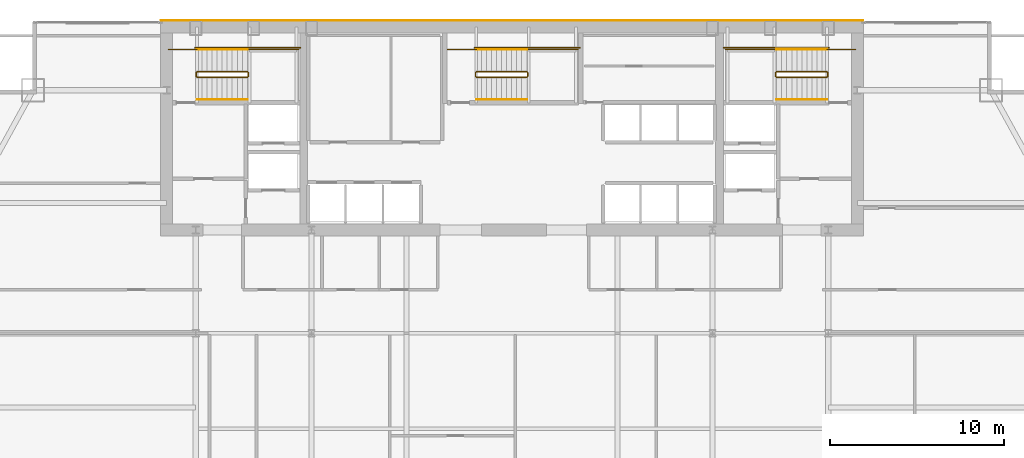
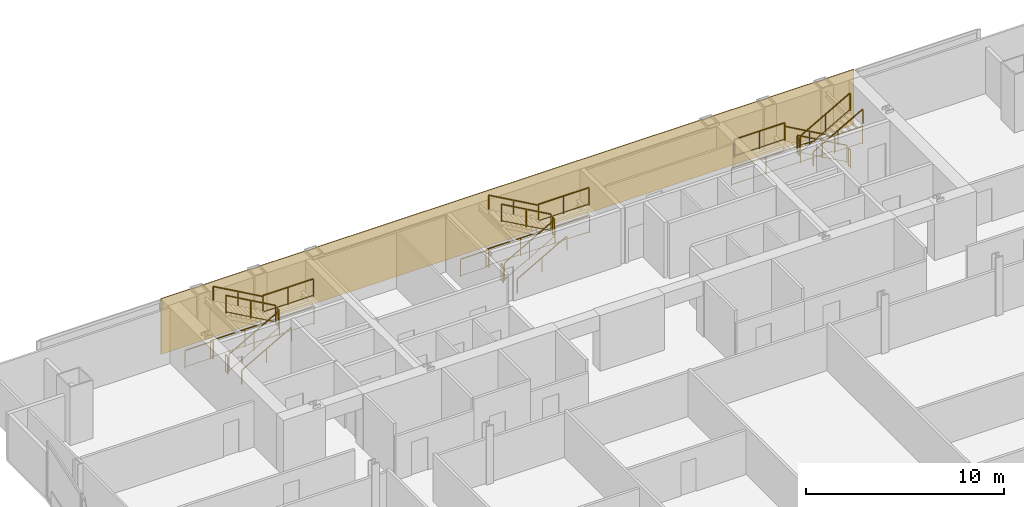
# One storey, part 29 of 29: 27 railings, 1 covering.
"""IFC4 building model written with IfcOpenShell, lengths in metres."""

from ifc_helpers import new_model, si_unit, direction, frame, origin, origin_2d, place, context, subcontext, project, spatial, polyline, rectangle, outline, extrude, material, layer, layer_set, type_object, element, save


model = new_model("IFC4")

# Units and contexts
model_context = context("Model", 3, precision=1e-05, world=origin(), true_north=direction((0.0, 1.0)))
body_context = subcontext(model_context, "Body", "Model", "MODEL_VIEW")
ifc_project = project(units=[si_unit("LENGTHUNIT", "METRE"), si_unit("AREAUNIT", "SQUARE_METRE"), si_unit("VOLUMEUNIT", "CUBIC_METRE"), si_unit("PLANEANGLEUNIT", "RADIAN"), si_unit("MASSUNIT", "GRAM", prefix="KILO")], contexts=[model_context])

# Site, building, storey
site_placement = place(None, origin())
site = spatial("IfcSite", under=ifc_project, at=site_placement, CompositionType="ELEMENT")
building_placement = place(site_placement, origin())
building = spatial("IfcBuilding", under=site, at=building_placement, Name="Khoronbel Lancet Exchange", CompositionType="ELEMENT")
storey_placement = place(building_placement, frame((0.0, 0.0, 150.60009765625)))
storey = spatial("IfcBuildingStorey", under=building, at=storey_placement, Name="L37", CompositionType="ELEMENT", Elevation=150.60009765625)

# Covering
ifc_material_1 = material(Name="Honed Egyptian Limestone & Bronze Rainscreen", Category="masonry")
ifc_layer = layer(ifc_material_1, 0.050048828125, Name="Honed Egyptian Limestone & Bronze Rainscreen")
ifc_layer_set = layer_set([ifc_layer], Name="Honed Egyptian Limestone & Bronze Rainscreen")
covering_type = type_object("IfcCoveringType", Name="COV-CLAD1", PredefinedType="CLADDING", material=ifc_layer_set)
covering_placement = place(storey_placement, origin())
element("IfcCovering", 1, at=covering_placement, inside=storey, type_object=covering_type, Name="Level L37 north rear-core stone and bronze rainscreen cladding", PredefinedType="CLADDING", context=body_context, shape_type="SweptSolid", body=[
    extrude(outline(polyline([(16.199951171875, 53.699951171875), (56.699951171875, 53.699951171875), (56.699951171875, 53.75), (16.199951171875, 53.75), (16.199951171875, 53.699951171875)])), origin(), (0.0, 0.0, 1.0), 3.43994140625),
])

# Railings
ifc_material_2 = material(Name="Painted Steel Balustrade", Category="steel")
railing_type_1 = type_object("IfcRailingType", Name="RL-STG110", PredefinedType="GUARDRAIL", material=ifc_material_2)
railing_1_placement = place(storey_placement, frame((18.300048828125, 50.449951171875, 0.16357421875)))
element("IfcRailing", 2, at=railing_1_placement, inside=storey, type_object=railing_type_1, Name="L37 ST1 stair guard 1", PredefinedType="GUARDRAIL", context=body_context, shape_type="SweptSolid", body=[
    extrude(rectangle(XDim=0.048095703125, YDim=0.048095703125, at=origin_2d()), frame((0.0, 0.0, 1.09619140625), z_axis=(0.870928581787, 0.0, 0.491409610636), x_axis=(0.0, 1.0, 0.0)), (0.0, 0.0, 1.0), 3.32958984375),
    extrude(rectangle(XDim=0.02392578125, YDim=0.02392578125, at=origin_2d()), frame((0.0, 0.0, 0.080078125), z_axis=(0.870928581787, 0.0, 0.491409610636), x_axis=(0.0, 1.0, 0.0)), (0.0, 0.0, 1.0), 3.32958984375),
    extrude(rectangle(XDim=0.0419921875, YDim=0.0419921875, at=origin_2d()), origin(), (0.0, 0.0, 1.0), 1.072021484375),
    extrude(rectangle(XDim=0.0419921875, YDim=0.0419921875, at=origin_2d()), frame((1.449951171875, 0.0, 0.818115234375)), (0.0, 0.0, 1.0), 1.072021484375),
    extrude(rectangle(XDim=0.0419921875, YDim=0.0419921875, at=origin_2d()), frame((2.89990234375, 0.0, 1.63623046875)), (0.0, 0.0, 1.0), 1.072021484375),
])
railing_2_placement = place(storey_placement, frame((21.25, 50.5, 1.7998046875)))
element("IfcRailing", 3, at=railing_2_placement, inside=storey, type_object=railing_type_1, Name="L37 ST1 stair guard 2", PredefinedType="GUARDRAIL", context=body_context, shape_type="SweptSolid", body=[
    extrude(rectangle(XDim=0.048095703125, YDim=0.048095703125, at=origin_2d()), frame((0.0, 0.0, 1.09619140625), z_axis=(0.0, 1.0, 0.0), x_axis=(-1.0, 0.0, 0.0)), (0.0, 0.0, 1.0), 0.219970703125),
    extrude(rectangle(XDim=0.02392578125, YDim=0.02392578125, at=origin_2d()), frame((0.0, 0.0, 0.080078125), z_axis=(0.0, 1.0, 0.0), x_axis=(-1.0, 0.0, 0.0)), (0.0, 0.0, 1.0), 0.219970703125),
    extrude(rectangle(XDim=0.0419921875, YDim=0.0419921875, at=origin_2d()), origin(), (0.0, 0.0, 1.0), 1.072021484375),
    extrude(rectangle(XDim=0.0419921875, YDim=0.0419921875, at=origin_2d()), frame((0.0, 0.219970703125, 0.0)), (0.0, 0.0, 1.0), 1.072021484375),
])
railing_3_placement = place(storey_placement, frame((21.199951171875, 52.050048828125, 1.7998046875)))
element("IfcRailing", 4, at=railing_3_placement, inside=storey, type_object=railing_type_1, Name="L37 ST1 stair guard 3", PredefinedType="GUARDRAIL", context=body_context, shape_type="SweptSolid", body=[
    extrude(rectangle(XDim=0.048095703125, YDim=0.048095703125, at=origin_2d()), frame((0.0, 0.0, 1.09619140625), z_axis=(1.0, 0.0, 0.0), x_axis=(0.0, 1.0, 0.0)), (0.0, 0.0, 1.0), 2.949951171875),
    extrude(rectangle(XDim=0.02392578125, YDim=0.02392578125, at=origin_2d()), frame((0.0, 0.0, 0.080078125), z_axis=(1.0, 0.0, 0.0), x_axis=(0.0, 1.0, 0.0)), (0.0, 0.0, 1.0), 2.949951171875),
    extrude(rectangle(XDim=0.0419921875, YDim=0.0419921875, at=origin_2d()), origin(), (0.0, 0.0, 1.0), 1.072021484375),
    extrude(rectangle(XDim=0.0419921875, YDim=0.0419921875, at=origin_2d()), frame((1.47509765625, 0.0, 0.0)), (0.0, 0.0, 1.0), 1.072021484375),
    extrude(rectangle(XDim=0.0419921875, YDim=0.0419921875, at=origin_2d()), frame((2.949951171875, 0.0, 0.0)), (0.0, 0.0, 1.0), 1.072021484375),
])
railing_4_placement = place(storey_placement, frame((21.199951171875, 50.77001953125, 1.963623046875)))
element("IfcRailing", 5, at=railing_4_placement, inside=storey, type_object=railing_type_1, Name="L37 ST1 stair guard 4", PredefinedType="GUARDRAIL", context=body_context, shape_type="SweptSolid", body=[
    extrude(rectangle(XDim=0.048095703125, YDim=0.048095703125, at=origin_2d()), frame((0.0, 0.0, 1.09619140625), z_axis=(-0.870928581787, 0.0, 0.491409610636), x_axis=(0.0, -1.0, 0.0)), (0.0, 0.0, 1.0), 3.32958984375),
    extrude(rectangle(XDim=0.02392578125, YDim=0.02392578125, at=origin_2d()), frame((0.0, 0.0, 0.080078125), z_axis=(-0.870928581787, 0.0, 0.491409610636), x_axis=(0.0, -1.0, 0.0)), (0.0, 0.0, 1.0), 3.32958984375),
    extrude(rectangle(XDim=0.0419921875, YDim=0.0419921875, at=origin_2d()), origin(), (0.0, 0.0, 1.0), 1.072021484375),
    extrude(rectangle(XDim=0.0419921875, YDim=0.0419921875, at=origin_2d()), frame((-1.449951171875, 0.0, 0.818115234375)), (0.0, 0.0, 1.0), 1.072021484375),
    extrude(rectangle(XDim=0.0419921875, YDim=0.0419921875, at=origin_2d()), frame((-2.89990234375, 0.0, 1.63623046875)), (0.0, 0.0, 1.0), 1.072021484375),
])
railing_5_placement = place(storey_placement, frame((18.25, 50.5, 0.0)))
element("IfcRailing", 6, at=railing_5_placement, inside=storey, type_object=railing_type_1, Name="L37 ST1 stair guard 5", PredefinedType="GUARDRAIL", context=body_context, shape_type="SweptSolid", body=[
    extrude(rectangle(XDim=0.048095703125, YDim=0.048095703125, at=origin_2d()), frame((0.0, 0.0, 1.09619140625), z_axis=(0.0, 1.0, 0.0), x_axis=(-1.0, 0.0, 0.0)), (0.0, 0.0, 1.0), 0.219970703125),
    extrude(rectangle(XDim=0.02392578125, YDim=0.02392578125, at=origin_2d()), frame((0.0, 0.0, 0.080078125), z_axis=(0.0, 1.0, 0.0), x_axis=(-1.0, 0.0, 0.0)), (0.0, 0.0, 1.0), 0.219970703125),
    extrude(rectangle(XDim=0.0419921875, YDim=0.0419921875, at=origin_2d()), origin(), (0.0, 0.0, 1.0), 1.072021484375),
    extrude(rectangle(XDim=0.0419921875, YDim=0.0419921875, at=origin_2d()), frame((0.0, 0.219970703125, 0.0)), (0.0, 0.0, 1.0), 1.072021484375),
])
railing_6_placement = place(storey_placement, frame((16.64990234375, 52.050048828125, 0.0)))
element("IfcRailing", 7, at=railing_6_placement, inside=storey, type_object=railing_type_1, Name="L37 ST1 stair guard 6", PredefinedType="GUARDRAIL", context=body_context, shape_type="SweptSolid", body=[
    extrude(rectangle(XDim=0.048095703125, YDim=0.048095703125, at=origin_2d()), frame((0.0, 0.0, 1.09619140625), z_axis=(1.0, 0.0, 0.0), x_axis=(0.0, 1.0, 0.0)), (0.0, 0.0, 1.0), 1.650146484375),
    extrude(rectangle(XDim=0.02392578125, YDim=0.02392578125, at=origin_2d()), frame((0.0, 0.0, 0.080078125), z_axis=(1.0, 0.0, 0.0), x_axis=(0.0, 1.0, 0.0)), (0.0, 0.0, 1.0), 1.650146484375),
    extrude(rectangle(XDim=0.0419921875, YDim=0.0419921875, at=origin_2d()), origin(), (0.0, 0.0, 1.0), 1.072021484375),
    extrude(rectangle(XDim=0.0419921875, YDim=0.0419921875, at=origin_2d()), frame((1.650146484375, 0.0, 0.0)), (0.0, 0.0, 1.0), 1.072021484375),
])
railing_7_placement = place(storey_placement, frame((18.199951171875, 52.14990234375, 0.0)))
element("IfcRailing", 8, at=railing_7_placement, inside=storey, type_object=railing_type_1, Name="L37 ST1 stair guard 7", PredefinedType="GUARDRAIL", context=body_context, shape_type="SweptSolid", body=[
    extrude(rectangle(XDim=0.048095703125, YDim=0.048095703125, at=origin_2d()), frame((0.0, 0.0, 1.09619140625), z_axis=(1.0, 0.0, 0.0), x_axis=(0.0, 1.0, 0.0)), (0.0, 0.0, 1.0), 6.050048828125),
    extrude(rectangle(XDim=0.02392578125, YDim=0.02392578125, at=origin_2d()), frame((0.0, 0.0, 0.080078125), z_axis=(1.0, 0.0, 0.0), x_axis=(0.0, 1.0, 0.0)), (0.0, 0.0, 1.0), 6.050048828125),
    extrude(rectangle(XDim=0.0419921875, YDim=0.0419921875, at=origin_2d()), origin(), (0.0, 0.0, 1.0), 1.072021484375),
    extrude(rectangle(XDim=0.0419921875, YDim=0.0419921875, at=origin_2d()), frame((2.0166015625, 0.0, 0.0)), (0.0, 0.0, 1.0), 1.072021484375),
    extrude(rectangle(XDim=0.0419921875, YDim=0.0419921875, at=origin_2d()), frame((4.033447265625, 0.0, 0.0)), (0.0, 0.0, 1.0), 1.072021484375),
    extrude(rectangle(XDim=0.0419921875, YDim=0.0419921875, at=origin_2d()), frame((6.050048828125, 0.0, 0.0)), (0.0, 0.0, 1.0), 1.072021484375),
])
railing_8_placement = place(storey_placement, frame((54.60009765625, 50.77001953125, 0.16357421875)))
element("IfcRailing", 9, at=railing_8_placement, inside=storey, type_object=railing_type_1, Name="L37 ST2 stair guard 1", PredefinedType="GUARDRAIL", context=body_context, shape_type="SweptSolid", body=[
    extrude(rectangle(XDim=0.048095703125, YDim=0.048095703125, at=origin_2d()), frame((0.0, 0.0, 1.09619140625), z_axis=(-0.870946286338, 0.0, 0.49137823142), x_axis=(0.0, -1.0, 0.0)), (0.0, 0.0, 1.0), 3.329833984375),
    extrude(rectangle(XDim=0.02392578125, YDim=0.02392578125, at=origin_2d()), frame((0.0, 0.0, 0.080078125), z_axis=(-0.870946286338, 0.0, 0.49137823142), x_axis=(0.0, -1.0, 0.0)), (0.0, 0.0, 1.0), 3.329833984375),
    extrude(rectangle(XDim=0.0419921875, YDim=0.0419921875, at=origin_2d()), origin(), (0.0, 0.0, 1.0), 1.072021484375),
    extrude(rectangle(XDim=0.0419921875, YDim=0.0419921875, at=origin_2d()), frame((-1.4501953125, 0.0, 0.818115234375)), (0.0, 0.0, 1.0), 1.072021484375),
    extrude(rectangle(XDim=0.0419921875, YDim=0.0419921875, at=origin_2d()), frame((-2.900146484375, 0.0, 1.63623046875)), (0.0, 0.0, 1.0), 1.072021484375),
])
railing_9_placement = place(storey_placement, frame((51.64990234375, 50.719970703125, 1.7998046875)))
element("IfcRailing", 10, at=railing_9_placement, inside=storey, type_object=railing_type_1, Name="L37 ST2 stair guard 2", PredefinedType="GUARDRAIL", context=body_context, shape_type="SweptSolid", body=[
    extrude(rectangle(XDim=0.048095703125, YDim=0.048095703125, at=origin_2d()), frame((0.0, 0.0, 1.09619140625), z_axis=(0.0, -1.0, 0.0), x_axis=(1.0, 0.0, 0.0)), (0.0, 0.0, 1.0), 0.219970703125),
    extrude(rectangle(XDim=0.02392578125, YDim=0.02392578125, at=origin_2d()), frame((0.0, 0.0, 0.080078125), z_axis=(0.0, -1.0, 0.0), x_axis=(1.0, 0.0, 0.0)), (0.0, 0.0, 1.0), 0.219970703125),
    extrude(rectangle(XDim=0.0419921875, YDim=0.0419921875, at=origin_2d()), origin(), (0.0, 0.0, 1.0), 1.072021484375),
    extrude(rectangle(XDim=0.0419921875, YDim=0.0419921875, at=origin_2d()), frame((0.0, -0.219970703125, 0.0)), (0.0, 0.0, 1.0), 1.072021484375),
])
railing_10_placement = place(storey_placement, frame((51.699951171875, 52.050048828125, 1.7998046875)))
element("IfcRailing", 11, at=railing_10_placement, inside=storey, type_object=railing_type_1, Name="L37 ST2 stair guard 3", PredefinedType="GUARDRAIL", context=body_context, shape_type="SweptSolid", body=[
    extrude(rectangle(XDim=0.048095703125, YDim=0.048095703125, at=origin_2d()), frame((0.0, 0.0, 1.09619140625), z_axis=(-1.0, 0.0, 0.0), x_axis=(0.0, -1.0, 0.0)), (0.0, 0.0, 1.0), 2.949951171875),
    extrude(rectangle(XDim=0.02392578125, YDim=0.02392578125, at=origin_2d()), frame((0.0, 0.0, 0.080078125), z_axis=(-1.0, 0.0, 0.0), x_axis=(0.0, -1.0, 0.0)), (0.0, 0.0, 1.0), 2.949951171875),
    extrude(rectangle(XDim=0.0419921875, YDim=0.0419921875, at=origin_2d()), origin(), (0.0, 0.0, 1.0), 1.072021484375),
    extrude(rectangle(XDim=0.0419921875, YDim=0.0419921875, at=origin_2d()), frame((-1.47509765625, 0.0, 0.0)), (0.0, 0.0, 1.0), 1.072021484375),
    extrude(rectangle(XDim=0.0419921875, YDim=0.0419921875, at=origin_2d()), frame((-2.949951171875, 0.0, 0.0)), (0.0, 0.0, 1.0), 1.072021484375),
])
railing_11_placement = place(storey_placement, frame((51.699951171875, 50.449951171875, 1.963623046875)))
element("IfcRailing", 12, at=railing_11_placement, inside=storey, type_object=railing_type_1, Name="L37 ST2 stair guard 4", PredefinedType="GUARDRAIL", context=body_context, shape_type="SweptSolid", body=[
    extrude(rectangle(XDim=0.048095703125, YDim=0.048095703125, at=origin_2d()), frame((0.0, 0.0, 1.09619140625), z_axis=(0.870946286338, 0.0, 0.49137823142), x_axis=(0.0, 1.0, 0.0)), (0.0, 0.0, 1.0), 3.329833984375),
    extrude(rectangle(XDim=0.02392578125, YDim=0.02392578125, at=origin_2d()), frame((0.0, 0.0, 0.080078125), z_axis=(0.870946286338, 0.0, 0.49137823142), x_axis=(0.0, 1.0, 0.0)), (0.0, 0.0, 1.0), 3.329833984375),
    extrude(rectangle(XDim=0.0419921875, YDim=0.0419921875, at=origin_2d()), origin(), (0.0, 0.0, 1.0), 1.072021484375),
    extrude(rectangle(XDim=0.0419921875, YDim=0.0419921875, at=origin_2d()), frame((1.4501953125, 0.0, 0.818115234375)), (0.0, 0.0, 1.0), 1.072021484375),
    extrude(rectangle(XDim=0.0419921875, YDim=0.0419921875, at=origin_2d()), frame((2.900146484375, 0.0, 1.63623046875)), (0.0, 0.0, 1.0), 1.072021484375),
])
railing_12_placement = place(storey_placement, frame((54.64990234375, 50.719970703125, 0.0)))
element("IfcRailing", 13, at=railing_12_placement, inside=storey, type_object=railing_type_1, Name="L37 ST2 stair guard 5", PredefinedType="GUARDRAIL", context=body_context, shape_type="SweptSolid", body=[
    extrude(rectangle(XDim=0.048095703125, YDim=0.048095703125, at=origin_2d()), frame((0.0, 0.0, 1.09619140625), z_axis=(0.0, -1.0, 0.0), x_axis=(1.0, 0.0, 0.0)), (0.0, 0.0, 1.0), 0.219970703125),
    extrude(rectangle(XDim=0.02392578125, YDim=0.02392578125, at=origin_2d()), frame((0.0, 0.0, 0.080078125), z_axis=(0.0, -1.0, 0.0), x_axis=(1.0, 0.0, 0.0)), (0.0, 0.0, 1.0), 0.219970703125),
    extrude(rectangle(XDim=0.0419921875, YDim=0.0419921875, at=origin_2d()), origin(), (0.0, 0.0, 1.0), 1.072021484375),
    extrude(rectangle(XDim=0.0419921875, YDim=0.0419921875, at=origin_2d()), frame((0.0, -0.219970703125, 0.0)), (0.0, 0.0, 1.0), 1.072021484375),
])
railing_13_placement = place(storey_placement, frame((56.25, 52.050048828125, 0.0)))
element("IfcRailing", 14, at=railing_13_placement, inside=storey, type_object=railing_type_1, Name="L37 ST2 stair guard 6", PredefinedType="GUARDRAIL", context=body_context, shape_type="SweptSolid", body=[
    extrude(rectangle(XDim=0.048095703125, YDim=0.048095703125, at=origin_2d()), frame((0.0, 0.0, 1.09619140625), z_axis=(-1.0, 0.0, 0.0), x_axis=(0.0, -1.0, 0.0)), (0.0, 0.0, 1.0), 1.64990234375),
    extrude(rectangle(XDim=0.02392578125, YDim=0.02392578125, at=origin_2d()), frame((0.0, 0.0, 0.080078125), z_axis=(-1.0, 0.0, 0.0), x_axis=(0.0, -1.0, 0.0)), (0.0, 0.0, 1.0), 1.64990234375),
    extrude(rectangle(XDim=0.0419921875, YDim=0.0419921875, at=origin_2d()), origin(), (0.0, 0.0, 1.0), 1.072021484375),
    extrude(rectangle(XDim=0.0419921875, YDim=0.0419921875, at=origin_2d()), frame((-1.64990234375, 0.0, 0.0)), (0.0, 0.0, 1.0), 1.072021484375),
])
railing_14_placement = place(storey_placement, frame((54.699951171875, 52.14990234375, 0.0)))
element("IfcRailing", 15, at=railing_14_placement, inside=storey, type_object=railing_type_1, Name="L37 ST2 stair guard 7", PredefinedType="GUARDRAIL", context=body_context, shape_type="SweptSolid", body=[
    extrude(rectangle(XDim=0.048095703125, YDim=0.048095703125, at=origin_2d()), frame((0.0, 0.0, 1.09619140625), z_axis=(-1.0, 0.0, 0.0), x_axis=(0.0, -1.0, 0.0)), (0.0, 0.0, 1.0), 6.050048828125),
    extrude(rectangle(XDim=0.02392578125, YDim=0.02392578125, at=origin_2d()), frame((0.0, 0.0, 0.080078125), z_axis=(-1.0, 0.0, 0.0), x_axis=(0.0, -1.0, 0.0)), (0.0, 0.0, 1.0), 6.050048828125),
    extrude(rectangle(XDim=0.0419921875, YDim=0.0419921875, at=origin_2d()), origin(), (0.0, 0.0, 1.0), 1.072021484375),
    extrude(rectangle(XDim=0.0419921875, YDim=0.0419921875, at=origin_2d()), frame((-2.0166015625, 0.0, 0.0)), (0.0, 0.0, 1.0), 1.072021484375),
    extrude(rectangle(XDim=0.0419921875, YDim=0.0419921875, at=origin_2d()), frame((-4.033447265625, 0.0, 0.0)), (0.0, 0.0, 1.0), 1.072021484375),
    extrude(rectangle(XDim=0.0419921875, YDim=0.0419921875, at=origin_2d()), frame((-6.050048828125, 0.0, 0.0)), (0.0, 0.0, 1.0), 1.072021484375),
])
railing_15_placement = place(storey_placement, frame((34.39990234375, 50.449951171875, 0.16357421875)))
element("IfcRailing", 16, at=railing_15_placement, inside=storey, type_object=railing_type_1, Name="L37 ST3 stair guard 1", PredefinedType="GUARDRAIL", context=body_context, shape_type="SweptSolid", body=[
    extrude(rectangle(XDim=0.048095703125, YDim=0.048095703125, at=origin_2d()), frame((0.0, 0.0, 1.09619140625), z_axis=(0.870946286338, 0.0, 0.49137823142), x_axis=(0.0, 1.0, 0.0)), (0.0, 0.0, 1.0), 3.329833984375),
    extrude(rectangle(XDim=0.02392578125, YDim=0.02392578125, at=origin_2d()), frame((0.0, 0.0, 0.080078125), z_axis=(0.870946286338, 0.0, 0.49137823142), x_axis=(0.0, 1.0, 0.0)), (0.0, 0.0, 1.0), 3.329833984375),
    extrude(rectangle(XDim=0.0419921875, YDim=0.0419921875, at=origin_2d()), origin(), (0.0, 0.0, 1.0), 1.072021484375),
    extrude(rectangle(XDim=0.0419921875, YDim=0.0419921875, at=origin_2d()), frame((1.4501953125, 0.0, 0.818115234375)), (0.0, 0.0, 1.0), 1.072021484375),
    extrude(rectangle(XDim=0.0419921875, YDim=0.0419921875, at=origin_2d()), frame((2.900146484375, 0.0, 1.63623046875)), (0.0, 0.0, 1.0), 1.072021484375),
])
railing_16_placement = place(storey_placement, frame((37.35009765625, 50.5, 1.7998046875)))
element("IfcRailing", 17, at=railing_16_placement, inside=storey, type_object=railing_type_1, Name="L37 ST3 stair guard 2", PredefinedType="GUARDRAIL", context=body_context, shape_type="SweptSolid", body=[
    extrude(rectangle(XDim=0.048095703125, YDim=0.048095703125, at=origin_2d()), frame((0.0, 0.0, 1.09619140625), z_axis=(0.0, 1.0, 0.0), x_axis=(-1.0, 0.0, 0.0)), (0.0, 0.0, 1.0), 0.219970703125),
    extrude(rectangle(XDim=0.02392578125, YDim=0.02392578125, at=origin_2d()), frame((0.0, 0.0, 0.080078125), z_axis=(0.0, 1.0, 0.0), x_axis=(-1.0, 0.0, 0.0)), (0.0, 0.0, 1.0), 0.219970703125),
    extrude(rectangle(XDim=0.0419921875, YDim=0.0419921875, at=origin_2d()), origin(), (0.0, 0.0, 1.0), 1.072021484375),
    extrude(rectangle(XDim=0.0419921875, YDim=0.0419921875, at=origin_2d()), frame((0.0, 0.219970703125, 0.0)), (0.0, 0.0, 1.0), 1.072021484375),
])
railing_17_placement = place(storey_placement, frame((37.300048828125, 52.050048828125, 1.7998046875)))
element("IfcRailing", 18, at=railing_17_placement, inside=storey, type_object=railing_type_1, Name="L37 ST3 stair guard 3", PredefinedType="GUARDRAIL", context=body_context, shape_type="SweptSolid", body=[
    extrude(rectangle(XDim=0.048095703125, YDim=0.048095703125, at=origin_2d()), frame((0.0, 0.0, 1.09619140625), z_axis=(1.0, 0.0, 0.0), x_axis=(0.0, 1.0, 0.0)), (0.0, 0.0, 1.0), 2.949951171875),
    extrude(rectangle(XDim=0.02392578125, YDim=0.02392578125, at=origin_2d()), frame((0.0, 0.0, 0.080078125), z_axis=(1.0, 0.0, 0.0), x_axis=(0.0, 1.0, 0.0)), (0.0, 0.0, 1.0), 2.949951171875),
    extrude(rectangle(XDim=0.0419921875, YDim=0.0419921875, at=origin_2d()), origin(), (0.0, 0.0, 1.0), 1.072021484375),
    extrude(rectangle(XDim=0.0419921875, YDim=0.0419921875, at=origin_2d()), frame((1.47509765625, 0.0, 0.0)), (0.0, 0.0, 1.0), 1.072021484375),
    extrude(rectangle(XDim=0.0419921875, YDim=0.0419921875, at=origin_2d()), frame((2.949951171875, 0.0, 0.0)), (0.0, 0.0, 1.0), 1.072021484375),
])
railing_18_placement = place(storey_placement, frame((37.300048828125, 50.77001953125, 1.963623046875)))
element("IfcRailing", 19, at=railing_18_placement, inside=storey, type_object=railing_type_1, Name="L37 ST3 stair guard 4", PredefinedType="GUARDRAIL", context=body_context, shape_type="SweptSolid", body=[
    extrude(rectangle(XDim=0.048095703125, YDim=0.048095703125, at=origin_2d()), frame((0.0, 0.0, 1.09619140625), z_axis=(-0.870946286338, 0.0, 0.49137823142), x_axis=(0.0, -1.0, 0.0)), (0.0, 0.0, 1.0), 3.329833984375),
    extrude(rectangle(XDim=0.02392578125, YDim=0.02392578125, at=origin_2d()), frame((0.0, 0.0, 0.080078125), z_axis=(-0.870946286338, 0.0, 0.49137823142), x_axis=(0.0, -1.0, 0.0)), (0.0, 0.0, 1.0), 3.329833984375),
    extrude(rectangle(XDim=0.0419921875, YDim=0.0419921875, at=origin_2d()), origin(), (0.0, 0.0, 1.0), 1.072021484375),
    extrude(rectangle(XDim=0.0419921875, YDim=0.0419921875, at=origin_2d()), frame((-1.4501953125, 0.0, 0.818115234375)), (0.0, 0.0, 1.0), 1.072021484375),
    extrude(rectangle(XDim=0.0419921875, YDim=0.0419921875, at=origin_2d()), frame((-2.900146484375, 0.0, 1.63623046875)), (0.0, 0.0, 1.0), 1.072021484375),
])
railing_19_placement = place(storey_placement, frame((34.35009765625, 50.5, 0.0)))
element("IfcRailing", 20, at=railing_19_placement, inside=storey, type_object=railing_type_1, Name="L37 ST3 stair guard 5", PredefinedType="GUARDRAIL", context=body_context, shape_type="SweptSolid", body=[
    extrude(rectangle(XDim=0.048095703125, YDim=0.048095703125, at=origin_2d()), frame((0.0, 0.0, 1.09619140625), z_axis=(0.0, 1.0, 0.0), x_axis=(-1.0, 0.0, 0.0)), (0.0, 0.0, 1.0), 0.219970703125),
    extrude(rectangle(XDim=0.02392578125, YDim=0.02392578125, at=origin_2d()), frame((0.0, 0.0, 0.080078125), z_axis=(0.0, 1.0, 0.0), x_axis=(-1.0, 0.0, 0.0)), (0.0, 0.0, 1.0), 0.219970703125),
    extrude(rectangle(XDim=0.0419921875, YDim=0.0419921875, at=origin_2d()), origin(), (0.0, 0.0, 1.0), 1.072021484375),
    extrude(rectangle(XDim=0.0419921875, YDim=0.0419921875, at=origin_2d()), frame((0.0, 0.219970703125, 0.0)), (0.0, 0.0, 1.0), 1.072021484375),
])
railing_20_placement = place(storey_placement, frame((32.75, 52.050048828125, 0.0)))
element("IfcRailing", 21, at=railing_20_placement, inside=storey, type_object=railing_type_1, Name="L37 ST3 stair guard 6", PredefinedType="GUARDRAIL", context=body_context, shape_type="SweptSolid", body=[
    extrude(rectangle(XDim=0.048095703125, YDim=0.048095703125, at=origin_2d()), frame((0.0, 0.0, 1.09619140625), z_axis=(1.0, 0.0, 0.0), x_axis=(0.0, 1.0, 0.0)), (0.0, 0.0, 1.0), 1.64990234375),
    extrude(rectangle(XDim=0.02392578125, YDim=0.02392578125, at=origin_2d()), frame((0.0, 0.0, 0.080078125), z_axis=(1.0, 0.0, 0.0), x_axis=(0.0, 1.0, 0.0)), (0.0, 0.0, 1.0), 1.64990234375),
    extrude(rectangle(XDim=0.0419921875, YDim=0.0419921875, at=origin_2d()), origin(), (0.0, 0.0, 1.0), 1.072021484375),
    extrude(rectangle(XDim=0.0419921875, YDim=0.0419921875, at=origin_2d()), frame((1.64990234375, 0.0, 0.0)), (0.0, 0.0, 1.0), 1.072021484375),
])
railing_21_placement = place(storey_placement, frame((34.300048828125, 52.14990234375, 0.0)))
element("IfcRailing", 22, at=railing_21_placement, inside=storey, type_object=railing_type_1, Name="L37 ST3 stair guard 7", PredefinedType="GUARDRAIL", context=body_context, shape_type="SweptSolid", body=[
    extrude(rectangle(XDim=0.048095703125, YDim=0.048095703125, at=origin_2d()), frame((0.0, 0.0, 1.09619140625), z_axis=(1.0, 0.0, 0.0), x_axis=(0.0, 1.0, 0.0)), (0.0, 0.0, 1.0), 6.050048828125),
    extrude(rectangle(XDim=0.02392578125, YDim=0.02392578125, at=origin_2d()), frame((0.0, 0.0, 0.080078125), z_axis=(1.0, 0.0, 0.0), x_axis=(0.0, 1.0, 0.0)), (0.0, 0.0, 1.0), 6.050048828125),
    extrude(rectangle(XDim=0.0419921875, YDim=0.0419921875, at=origin_2d()), origin(), (0.0, 0.0, 1.0), 1.072021484375),
    extrude(rectangle(XDim=0.0419921875, YDim=0.0419921875, at=origin_2d()), frame((2.0166015625, 0.0, 0.0)), (0.0, 0.0, 1.0), 1.072021484375),
    extrude(rectangle(XDim=0.0419921875, YDim=0.0419921875, at=origin_2d()), frame((4.033447265625, 0.0, 0.0)), (0.0, 0.0, 1.0), 1.072021484375),
    extrude(rectangle(XDim=0.0419921875, YDim=0.0419921875, at=origin_2d()), frame((6.050048828125, 0.0, 0.0)), (0.0, 0.0, 1.0), 1.072021484375),
])
ifc_material_3 = material(Name="Brushed Stainless Steel 316", Category="steel")
railing_type_2 = type_object("IfcRailingType", Name="RL-STH92", PredefinedType="HANDRAIL", material=ifc_material_3)
railing_22_placement = place(storey_placement, frame((18.300048828125, 49.169921875, 0.16357421875)))
element("IfcRailing", 23, at=railing_22_placement, inside=storey, type_object=railing_type_2, Name="L37 ST1 stair handrail 1", PredefinedType="HANDRAIL", context=body_context, shape_type="SweptSolid", body=[
    extrude(rectangle(XDim=0.048095703125, YDim=0.048095703125, at=origin_2d()), frame((0.0, 0.0, 0.8759765625), z_axis=(0.870928581787, 0.0, 0.491409610636), x_axis=(0.0, 1.0, 0.0)), (0.0, 0.0, 1.0), 3.32958984375),
    extrude(rectangle(XDim=0.0419921875, YDim=0.0419921875, at=origin_2d()), origin(), (0.0, 0.0, 1.0), 0.851806640625),
    extrude(rectangle(XDim=0.0419921875, YDim=0.0419921875, at=origin_2d()), frame((1.449951171875, 0.0, 0.818115234375)), (0.0, 0.0, 1.0), 0.851806640625),
    extrude(rectangle(XDim=0.0419921875, YDim=0.0419921875, at=origin_2d()), frame((2.89990234375, 0.0, 1.63623046875)), (0.0, 0.0, 1.0), 0.851806640625),
])
railing_23_placement = place(storey_placement, frame((21.199951171875, 52.050048828125, 1.963623046875)))
element("IfcRailing", 24, at=railing_23_placement, inside=storey, type_object=railing_type_2, Name="L37 ST1 stair handrail 2", PredefinedType="HANDRAIL", context=body_context, shape_type="SweptSolid", body=[
    extrude(rectangle(XDim=0.048095703125, YDim=0.048095703125, at=origin_2d()), frame((0.0, 0.0, 0.8759765625), z_axis=(-0.870928581787, 0.0, 0.491409610636), x_axis=(0.0, -1.0, 0.0)), (0.0, 0.0, 1.0), 3.32958984375),
    extrude(rectangle(XDim=0.0419921875, YDim=0.0419921875, at=origin_2d()), origin(), (0.0, 0.0, 1.0), 0.851806640625),
    extrude(rectangle(XDim=0.0419921875, YDim=0.0419921875, at=origin_2d()), frame((-1.449951171875, 0.0, 0.818115234375)), (0.0, 0.0, 1.0), 0.851806640625),
    extrude(rectangle(XDim=0.0419921875, YDim=0.0419921875, at=origin_2d()), frame((-2.89990234375, 0.0, 1.63623046875)), (0.0, 0.0, 1.0), 0.851806640625),
])
railing_24_placement = place(storey_placement, frame((54.60009765625, 52.050048828125, 0.16357421875)))
element("IfcRailing", 25, at=railing_24_placement, inside=storey, type_object=railing_type_2, Name="L37 ST2 stair handrail 1", PredefinedType="HANDRAIL", context=body_context, shape_type="SweptSolid", body=[
    extrude(rectangle(XDim=0.048095703125, YDim=0.048095703125, at=origin_2d()), frame((0.0, 0.0, 0.8759765625), z_axis=(-0.870946286338, 0.0, 0.49137823142), x_axis=(0.0, -1.0, 0.0)), (0.0, 0.0, 1.0), 3.329833984375),
    extrude(rectangle(XDim=0.0419921875, YDim=0.0419921875, at=origin_2d()), origin(), (0.0, 0.0, 1.0), 0.851806640625),
    extrude(rectangle(XDim=0.0419921875, YDim=0.0419921875, at=origin_2d()), frame((-1.4501953125, 0.0, 0.818115234375)), (0.0, 0.0, 1.0), 0.851806640625),
    extrude(rectangle(XDim=0.0419921875, YDim=0.0419921875, at=origin_2d()), frame((-2.900146484375, 0.0, 1.63623046875)), (0.0, 0.0, 1.0), 0.851806640625),
])
for number, where, name in (
    (26, (51.699951171875, 49.169921875, 1.963623046875), "L37 ST2 stair handrail 2"),
    (27, (34.39990234375, 49.169921875, 0.16357421875), "L37 ST3 stair handrail 1"),
):
    element("IfcRailing", number, at=place(storey_placement, frame(where)), inside=storey, type_object=railing_type_2, Name=name, PredefinedType="HANDRAIL", context=body_context, shape_type="SweptSolid", body=[
        extrude(rectangle(XDim=0.048095703125, YDim=0.048095703125, at=origin_2d()), frame((0.0, 0.0, 0.8759765625), z_axis=(0.870946286338, 0.0, 0.49137823142), x_axis=(0.0, 1.0, 0.0)), (0.0, 0.0, 1.0), 3.329833984375),
        extrude(rectangle(XDim=0.0419921875, YDim=0.0419921875, at=origin_2d()), origin(), (0.0, 0.0, 1.0), 0.851806640625),
        extrude(rectangle(XDim=0.0419921875, YDim=0.0419921875, at=origin_2d()), frame((1.4501953125, 0.0, 0.818115234375)), (0.0, 0.0, 1.0), 0.851806640625),
        extrude(rectangle(XDim=0.0419921875, YDim=0.0419921875, at=origin_2d()), frame((2.900146484375, 0.0, 1.63623046875)), (0.0, 0.0, 1.0), 0.851806640625),
    ])
railing_25_placement = place(storey_placement, frame((37.300048828125, 52.050048828125, 1.963623046875)))
element("IfcRailing", 28, at=railing_25_placement, inside=storey, type_object=railing_type_2, Name="L37 ST3 stair handrail 2", PredefinedType="HANDRAIL", context=body_context, shape_type="SweptSolid", body=[
    extrude(rectangle(XDim=0.048095703125, YDim=0.048095703125, at=origin_2d()), frame((0.0, 0.0, 0.8759765625), z_axis=(-0.870946286338, 0.0, 0.49137823142), x_axis=(0.0, -1.0, 0.0)), (0.0, 0.0, 1.0), 3.329833984375),
    extrude(rectangle(XDim=0.0419921875, YDim=0.0419921875, at=origin_2d()), origin(), (0.0, 0.0, 1.0), 0.851806640625),
    extrude(rectangle(XDim=0.0419921875, YDim=0.0419921875, at=origin_2d()), frame((-1.4501953125, 0.0, 0.818115234375)), (0.0, 0.0, 1.0), 0.851806640625),
    extrude(rectangle(XDim=0.0419921875, YDim=0.0419921875, at=origin_2d()), frame((-2.900146484375, 0.0, 1.63623046875)), (0.0, 0.0, 1.0), 0.851806640625),
])

save(model, "model.ifc")
